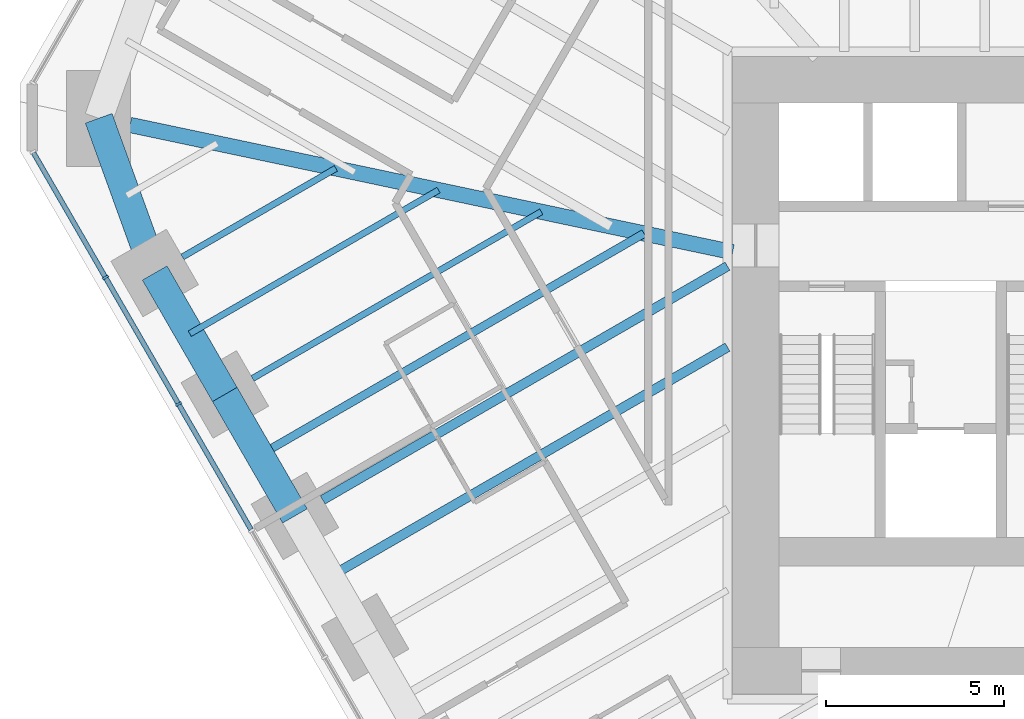
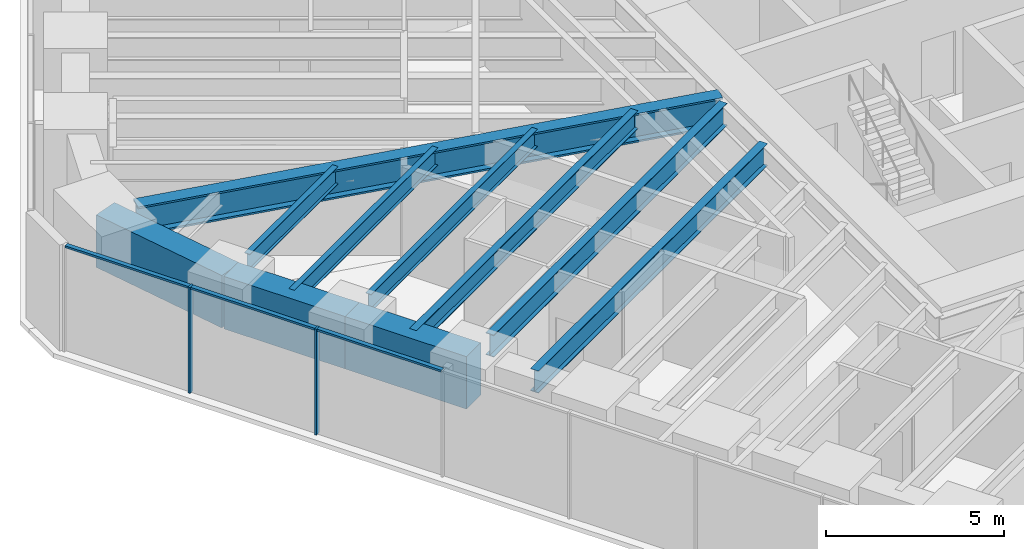
# One storey, part 3 of 17: 10 beams, 5 members, 1 element without a shape of its own.
"""IFC4 building model written with IfcOpenShell, lengths in metres."""

from ifc_helpers import new_model, si_unit, direction, frame, origin, origin_2d, place, context, subcontext, project, spatial, rectangle, i_section, extrude, material, material_profile, profile_set, type_object, element, aggregate, save


model = new_model("IFC4")

# Units and contexts
model_context = context("Model", 3, precision=1e-05, world=origin(), true_north=direction((0.0, 1.0)))
body_context = subcontext(model_context, "Body", "Model", "MODEL_VIEW")
ifc_project = project(units=[si_unit("LENGTHUNIT", "METRE"), si_unit("AREAUNIT", "SQUARE_METRE"), si_unit("VOLUMEUNIT", "CUBIC_METRE"), si_unit("PLANEANGLEUNIT", "RADIAN"), si_unit("MASSUNIT", "GRAM", prefix="KILO")], contexts=[model_context])

# Site, building, storey
site_placement = place(None, origin())
site = spatial("IfcSite", under=ifc_project, at=site_placement, CompositionType="ELEMENT")
building_placement = place(site_placement, origin())
building = spatial("IfcBuilding", under=site, at=building_placement, Name="Sandreach Pilgrim Tower", CompositionType="ELEMENT")
storey_placement = place(building_placement, frame((0.0, 0.0, 127.199951171875)))
storey = spatial("IfcBuildingStorey", under=building, at=storey_placement, Name="L31", CompositionType="ELEMENT", Elevation=127.199951171875)

# Curtain wall, members
ifc_material_1 = material(Name="Aluminium framed curtain wall", Category="aluminium")
curtain_wall_type = type_object("IfcCurtainWallType", Name="Hotel tower curtain wall", PredefinedType="NOTDEFINED", material=ifc_material_1)
curtain_wall_placement = place(storey_placement, origin())
curtain_wall = element("IfcCurtainWall", 1, at=curtain_wall_placement, inside=storey, type_object=curtain_wall_type, Name="CW-2 L31 SW", PredefinedType="NOTDEFINED")
ifc_material_2 = material(Name="Aluminium extrusion", Category="aluminium")
ifc_material_profile_1 = material_profile(ifc_material_2, rectangle(XDim=0.06494140625, YDim=0.179931640625, at=origin_2d()), Name="CW-2M 65X180")
ifc_profile_set_1 = profile_set([ifc_material_profile_1], Name="Aluminium extrusion")
member_type_1 = type_object("IfcMemberType", Name="CW-2 mullion", PredefinedType="MULLION", material=ifc_profile_set_1)
member_1_placement = place(storey_placement, frame((-24.614013671875, -2.35498046875, 0.0), z_axis=(0.0, 0.0, 1.0), x_axis=(-0.5, 0.866025403784, 0.0)))
member_1 = element("IfcMember", 2, at=member_1_placement, type_object=member_type_1, Name="CW-2 mullion 8", PredefinedType="MULLION", context=body_context, shape_type="SweptSolid", body=[
    extrude(rectangle(XDim=0.06494140625, YDim=0.179931640625, at=origin_2d()), origin(), (0.0, 0.0, 1.0), 3.64013671875),
])
member_2_placement = place(storey_placement, frame((-26.66748046875, 1.20166015625, 0.0), z_axis=(0.0, 0.0, 1.0), x_axis=(-0.5, 0.866025403784, 0.0)))
member_2 = element("IfcMember", 3, at=member_2_placement, type_object=member_type_1, Name="CW-2 mullion 9", PredefinedType="MULLION", context=body_context, shape_type="SweptSolid", body=[
    extrude(rectangle(XDim=0.06494140625, YDim=0.179931640625, at=origin_2d()), origin(), (0.0, 0.0, 1.0), 3.64013671875),
])
ifc_material_3 = material(Name="Aluminium extrusion", Category="aluminium")
ifc_material_profile_2 = material_profile(ifc_material_3, rectangle(XDim=0.139892578125, YDim=0.070068359375, at=origin_2d()), Name="CW-2T 140X70")
ifc_profile_set_2 = profile_set([ifc_material_profile_2], Name="Aluminium extrusion")
member_type_2 = type_object("IfcMemberType", Name="CW-2 transom", PredefinedType="USERDEFINED", material=ifc_profile_set_2)
member_3_placement = place(storey_placement, frame((-22.57666015625, -5.883544921875, 3.60498046875), z_axis=(-0.500023973715, 0.866011562111, 0.0), x_axis=(-0.866011562111, -0.500023973715, 0.0)))
member_3 = element("IfcMember", 4, at=member_3_placement, type_object=member_type_2, Name="CW-2 head transom 7", ObjectType="TRANSOM", PredefinedType="USERDEFINED", context=body_context, shape_type="SweptSolid", body=[
    extrude(rectangle(XDim=0.139892578125, YDim=0.070068359375, at=origin_2d()), origin(), (0.0, 0.0, 1.0), 4.041748046875),
])
member_4_placement = place(storey_placement, frame((-24.630126953125, -2.326904296875, 3.60498046875), z_axis=(-0.499997818338, 0.866026663364, 0.0), x_axis=(-0.866026663364, -0.499997818338, 0.0)))
member_4 = element("IfcMember", 5, at=member_4_placement, type_object=member_type_2, Name="CW-2 head transom 8", ObjectType="TRANSOM", PredefinedType="USERDEFINED", context=body_context, shape_type="SweptSolid", body=[
    extrude(rectangle(XDim=0.139892578125, YDim=0.070068359375, at=origin_2d()), origin(), (0.0, 0.0, 1.0), 4.0419921875),
])
member_5_placement = place(storey_placement, frame((-26.68359375, 1.229736328125, 3.60498046875), z_axis=(-0.500015851672, 0.866016251624, 0.0), x_axis=(-0.866016251624, -0.500015851672, 0.0)))
member_5 = element("IfcMember", 6, at=member_5_placement, type_object=member_type_2, Name="CW-2 head transom 9", ObjectType="TRANSOM", PredefinedType="USERDEFINED", context=body_context, shape_type="SweptSolid", body=[
    extrude(rectangle(XDim=0.139892578125, YDim=0.070068359375, at=origin_2d()), origin(), (0.0, 0.0, 1.0), 4.009521484375),
])
aggregate(curtain_wall, [member_1, member_2, member_3, member_4, member_5])

# Beams
ifc_material_4 = material(Name="Steel ASTM A992 Grade 50", Category="steel")
ifc_material_profile_3 = material_profile(ifc_material_4, i_section(OverallWidth=0.431884765625, OverallDepth=0.988037109375, WebThickness=0.034423828125, FlangeThickness=0.06201171875, at=origin_2d()), Name="W36X441")
ifc_profile_set_3 = profile_set([ifc_material_profile_3], Name="Steel ASTM A992 Grade 50")
beam_type_1 = type_object("IfcBeamType", Name="Corner girder W36X441", PredefinedType="BEAM", material=ifc_profile_set_3)
beam_1_placement = place(storey_placement, frame((-25.976806640625, 5.484619140625, 3.14599609375), z_axis=(0.978427882284, -0.206588671447, 0.0), x_axis=(0.206588671447, 0.978427882284, 0.0)))
element("IfcBeam", 7, at=beam_1_placement, inside=storey, type_object=beam_type_1, Name="BM L31 CG35", PredefinedType="BEAM", context=body_context, shape_type="SweptSolid", body=[
    extrude(i_section(OverallWidth=0.431884765625, OverallDepth=0.988037109375, WebThickness=0.034423828125, FlangeThickness=0.06201171875, at=origin_2d()), origin(), (0.0, 0.0, 1.0), 17.300048828125),
])
ifc_material_5 = material(Name="Steel ASTM A992 Grade 50", Category="steel")
ifc_material_profile_4 = material_profile(ifc_material_5, i_section(OverallWidth=0.1787109375, OverallDepth=0.60205078125, WebThickness=0.010986328125, FlangeThickness=0.014892578125, at=origin_2d()), Name="W24X62")
ifc_profile_set_4 = profile_set([ifc_material_profile_4], Name="Steel ASTM A992 Grade 50")
beam_type_2 = type_object("IfcBeamType", Name="Floor beam W24X62", PredefinedType="BEAM", material=ifc_profile_set_4)
beam_2_placement = place(storey_placement, frame((-22.534423828125, -1.63671875, 3.339111328125), z_axis=(0.866012351917, 0.500022605817, 0.0), x_axis=(-0.500022605817, 0.866012351917, 0.0)))
element("IfcBeam", 8, at=beam_2_placement, inside=storey, type_object=beam_type_2, Name="BM L31 F33", PredefinedType="BEAM", context=body_context, shape_type="SweptSolid", body=[
    extrude(i_section(OverallWidth=0.1787109375, OverallDepth=0.60205078125, WebThickness=0.010986328125, FlangeThickness=0.014892578125, at=origin_2d()), origin(), (0.0, 0.0, 1.0), 9.3642578125),
])
beam_3_placement = place(storey_placement, frame((-24.50439453125, 1.775390625, 3.339111328125), z_axis=(0.866024645457, 0.500001313459, 0.0), x_axis=(-0.500001313459, 0.866024645457, 0.0)))
element("IfcBeam", 9, at=beam_3_placement, inside=storey, type_object=beam_type_2, Name="BM L31 F34", PredefinedType="BEAM", context=body_context, shape_type="SweptSolid", body=[
    extrude(i_section(OverallWidth=0.1787109375, OverallDepth=0.60205078125, WebThickness=0.010986328125, FlangeThickness=0.014892578125, at=origin_2d()), origin(), (0.0, 0.0, 1.0), 4.9765625),
])
beam_4_placement = place(storey_placement, frame((-24.298828125, -0.380615234375, 3.339111328125), z_axis=(0.866022864518, 0.500004398112, 0.0), x_axis=(-0.500004398112, 0.866022864518, 0.0)))
element("IfcBeam", 10, at=beam_4_placement, inside=storey, type_object=beam_type_2, Name="BM L31 FM33", PredefinedType="BEAM", context=body_context, shape_type="SweptSolid", body=[
    extrude(i_section(OverallWidth=0.1787109375, OverallDepth=0.60205078125, WebThickness=0.010986328125, FlangeThickness=0.014892578125, at=origin_2d()), origin(), (0.0, 0.0, 1.0), 8.0703125),
])
ifc_material_6 = material(Name="Steel ASTM A992 Grade 50", Category="steel")
ifc_material_profile_5 = material_profile(ifc_material_6, i_section(OverallWidth=0.23046875, OverallDepth=0.6171875, WebThickness=0.01318359375, FlangeThickness=0.022216796875, at=origin_2d()), Name="W24X94")
ifc_profile_set_5 = profile_set([ifc_material_profile_5], Name="Steel ASTM A992 Grade 50")
beam_type_3 = type_object("IfcBeamType", Name="Floor beam W24X94", PredefinedType="BEAM", material=ifc_profile_set_5)
beam_5_placement = place(storey_placement, frame((-22.328857421875, -3.792724609375, 3.33154296875), z_axis=(0.866019150617, 0.500010830648, 0.0), x_axis=(-0.500010830648, 0.866019150617, 0.0)))
element("IfcBeam", 11, at=beam_5_placement, inside=storey, type_object=beam_type_3, Name="BM L31 FM32", PredefinedType="BEAM", context=body_context, shape_type="SweptSolid", body=[
    extrude(i_section(OverallWidth=0.23046875, OverallDepth=0.6171875, WebThickness=0.01318359375, FlangeThickness=0.022216796875, at=origin_2d()), origin(), (0.0, 0.0, 1.0), 12.458251953125),
])
ifc_material_7 = material(Name="Steel ASTM A992 Grade 50", Category="steel")
ifc_material_profile_6 = material_profile(ifc_material_7, i_section(OverallWidth=0.2666015625, OverallDepth=0.761962890625, WebThickness=0.014404296875, FlangeThickness=0.021484375, at=origin_2d()), Name="W30X116")
ifc_profile_set_6 = profile_set([ifc_material_profile_6], Name="Steel ASTM A992 Grade 50")
beam_type_4 = type_object("IfcBeamType", Name="Floor beam W30X116", PredefinedType="BEAM", material=ifc_profile_set_6)
beam_6_placement = place(storey_placement, frame((-20.564453125, -5.048828125, 3.259033203125), z_axis=(0.866022715736, 0.500004655807, 0.0), x_axis=(-0.500004655807, 0.866022715736, 0.0)))
element("IfcBeam", 12, at=beam_6_placement, inside=storey, type_object=beam_type_4, Name="BM L31 F32", PredefinedType="BEAM", context=body_context, shape_type="SweptSolid", body=[
    extrude(i_section(OverallWidth=0.2666015625, OverallDepth=0.761962890625, WebThickness=0.014404296875, FlangeThickness=0.021484375, at=origin_2d()), origin(), (0.0, 0.0, 1.0), 13.130126953125),
])
beam_7_placement = place(storey_placement, frame((-20.35888671875, -7.204833984375, 3.259033203125), z_axis=(0.866021609098, 0.500006572533, 0.0), x_axis=(-0.500006572533, 0.866021609098, 0.0)))
element("IfcBeam", 13, at=beam_7_placement, inside=storey, type_object=beam_type_4, Name="BM L31 FM31", PredefinedType="BEAM", context=body_context, shape_type="SweptSolid", body=[
    extrude(i_section(OverallWidth=0.2666015625, OverallDepth=0.761962890625, WebThickness=0.014404296875, FlangeThickness=0.021484375, at=origin_2d()), origin(), (0.0, 0.0, 1.0), 12.892822265625),
])
ifc_material_8 = material(Name="Concrete 10000 psi", Category="concrete")
ifc_material_profile_7 = material_profile(ifc_material_8, rectangle(XDim=0.800048828125, YDim=1.800048828125, at=origin_2d()), Name="RC800X1800")
ifc_profile_set_7 = profile_set([ifc_material_profile_7], Name="Concrete 10000 psi")
beam_type_5 = type_object("IfcBeamType", Name="Spandrel beam RC800X1800", PredefinedType="SPANDREL", material=ifc_profile_set_7)
for number, where, z_axis, x_axis, name in (
    (14, (-21.343994140625, -5.498779296875, 2.739990234375), (-0.49999779889, 0.866026674592, 0.0), (-0.866026674592, -0.49999779889, 0.0), "BM L31 SP32"),
    (15, (-23.31396484375, -2.086669921875, 2.739990234375), (-0.49999779889, 0.866026674592, 0.0), (-0.866026674592, -0.49999779889, 0.0), "BM L31 SP33"),
):
    element("IfcBeam", number, at=place(storey_placement, frame(where, z_axis=z_axis, x_axis=x_axis)), inside=storey, type_object=beam_type_5, Name=name, PredefinedType="SPANDREL", context=body_context, shape_type="SweptSolid", body=[
        extrude(rectangle(XDim=0.800048828125, YDim=1.800048828125, at=origin_2d()), origin(), (0.0, 0.0, 1.0), 3.93994140625),
    ])
beam_8_placement = place(storey_placement, frame((-25.283935546875, 1.325439453125, 2.739990234375), z_axis=(-0.340453163563, 0.940261476091, 0.0), x_axis=(-0.940261476091, -0.340453163563, 0.0)))
element("IfcBeam", 16, at=beam_8_placement, inside=storey, type_object=beam_type_5, Name="BM L31 SP34", PredefinedType="SPANDREL", context=body_context, shape_type="SweptSolid", body=[
    extrude(rectangle(XDim=0.800048828125, YDim=1.800048828125, at=origin_2d()), origin(), (0.0, 0.0, 1.0), 4.62109375),
])

save(model, "model.ifc")
